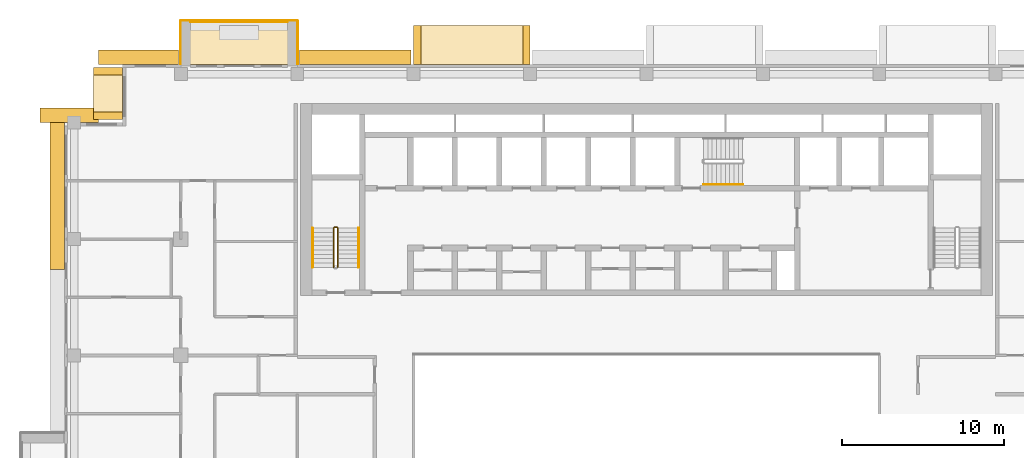
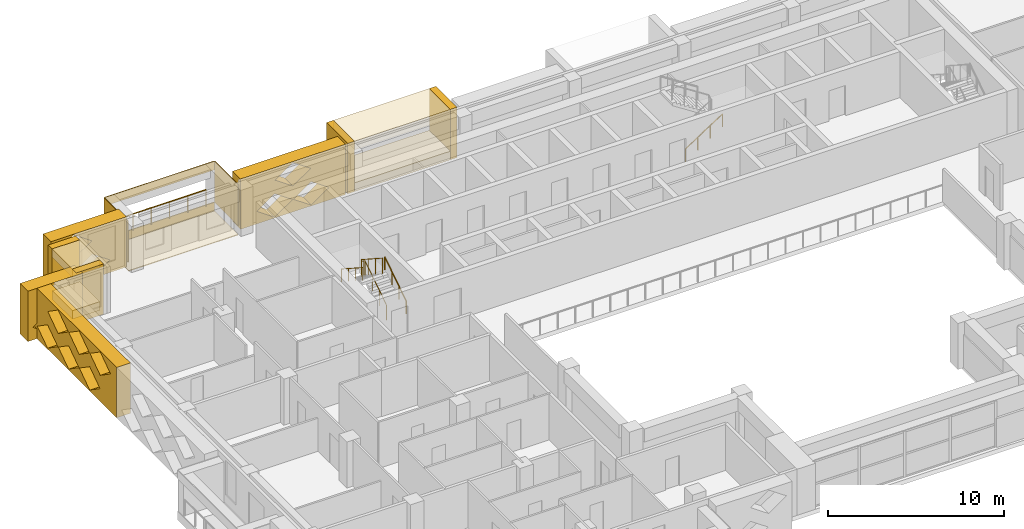
# One storey, part 18 of 20: 17 coverings, 5 railings.
"""IFC4 building model written with IfcOpenShell, lengths in metres."""

from ifc_helpers import new_model, si_unit, direction, frame, origin, origin_2d, place, context, subcontext, project, spatial, polyline, circle, outline, extrude, material, layer, layer_set, type_object, element, save


model = new_model("IFC4")

# Units and contexts
model_context = context("Model", 3, precision=1e-05, world=origin(), true_north=direction((0.0, 1.0)))
body_context = subcontext(model_context, "Body", "Model", "MODEL_VIEW")
ifc_project = project(units=[si_unit("LENGTHUNIT", "METRE"), si_unit("AREAUNIT", "SQUARE_METRE"), si_unit("VOLUMEUNIT", "CUBIC_METRE"), si_unit("PLANEANGLEUNIT", "RADIAN"), si_unit("MASSUNIT", "GRAM", prefix="KILO")], contexts=[model_context])

# Site, building, storey
site_placement = place(None, origin())
site = spatial("IfcSite", under=ifc_project, at=site_placement, CompositionType="ELEMENT")
building_placement = place(site_placement, origin())
building = spatial("IfcBuilding", under=site, at=building_placement, Name="Saffron Iwan Residences", CompositionType="ELEMENT")
storey_placement = place(building_placement, frame((0.0, 0.0, 199.0)))
storey = spatial("IfcBuildingStorey", under=building, at=storey_placement, Name="L53", CompositionType="ELEMENT", Elevation=199.0)

# Railing
ifc_material_1 = material(Name="Stainless steel 316", Category="steel")
railing_type_1 = type_object("IfcRailingType", Name="BALCONY GUARD 1150", PredefinedType="GUARDRAIL", material=ifc_material_1)
railing_1_placement = place(storey_placement, frame((28.199951171875, 83.02490234375, 0.0)))
element("IfcRailing", 1, at=railing_1_placement, inside=storey, type_object=railing_type_1, Name="Balcony guard L53 F5-3", PredefinedType="GUARDRAIL", context=body_context, shape_type="SweptSolid", body=[
    extrude(circle(Radius=0.02392578125, at=origin_2d()), frame((0.0, 0.0, 1.1259765625), z_axis=(-1.0, 0.0, 0.0), x_axis=(0.0, -1.0, 0.0)), (0.0, 0.0, 1.0), 6.0),
    extrude(circle(Radius=0.02099609375, at=origin_2d()), origin(), (0.0, 0.0, 1.0), 1.101806640625),
    extrude(circle(Radius=0.02099609375, at=origin_2d()), frame((-1.199951171875, 0.0, 0.0)), (0.0, 0.0, 1.0), 1.101806640625),
    extrude(circle(Radius=0.02099609375, at=origin_2d()), frame((-2.39990234375, 0.0, 0.0)), (0.0, 0.0, 1.0), 1.101806640625),
    extrude(circle(Radius=0.02099609375, at=origin_2d()), frame((-3.60009765625, 0.0, 0.0)), (0.0, 0.0, 1.0), 1.101806640625),
    extrude(circle(Radius=0.02099609375, at=origin_2d()), frame((-4.800048828125, 0.0, 0.0)), (0.0, 0.0, 1.0), 1.101806640625),
    extrude(circle(Radius=0.02099609375, at=origin_2d()), frame((-6.0, 0.0, 0.0)), (0.0, 0.0, 1.0), 1.101806640625),
])

# Coverings
ifc_material_2 = material(Name="Precast concrete C40/50 white painted", Category="concrete")
ifc_layer = layer(ifc_material_2, 0.050048828125)
ifc_layer_set = layer_set([ifc_layer], Name="Precast concrete C40/50 white painted")
covering_type_1 = type_object("IfcCoveringType", Name="FRAME SKIN PRECAST WHITE 50", PredefinedType="CLADDING", material=ifc_layer_set)
for number, where, name in (
    (2, (0.0, 0.0, -0.60009765625), "Frame skin slab edge L53 F5-3"),
    (3, (0.0, 0.0, 2.25), "Frame skin fascia L53 F5-3"),
):
    element("IfcCovering", number, at=place(storey_placement, frame(where)), inside=storey, type_object=covering_type_1, Name=name, PredefinedType="CLADDING", context=body_context, shape_type="SweptSolid", body=[
        extrude(outline(polyline([(28.800048828125, 83.14990234375), (21.60009765625, 83.14990234375), (21.60009765625, 83.10009765625), (28.800048828125, 83.10009765625), (28.800048828125, 83.14990234375)])), origin(), (0.0, 0.0, 1.0), 0.60009765625),
    ])
covering_1_placement = place(storey_placement, frame((0.0, 0.0, -0.64990234375)))
element("IfcCovering", 4, at=covering_1_placement, inside=storey, type_object=covering_type_1, Name="Frame skin soffit L53 F5-3", PredefinedType="CLADDING", context=body_context, shape_type="SweptSolid", body=[
    extrude(outline(polyline([(28.800048828125, 83.10009765625), (21.60009765625, 83.10009765625), (21.60009765625, 80.39990234375), (28.800048828125, 80.39990234375), (28.800048828125, 83.10009765625)])), origin(), (0.0, 0.0, 1.0), 0.0498046875),
])
covering_2_placement = place(storey_placement, origin())
element("IfcCovering", 5, at=covering_2_placement, inside=storey, type_object=covering_type_1, Name="Frame skin fin L53 F5-3a", PredefinedType="CLADDING", context=body_context, shape_type="SweptSolid", body=[
    extrude(outline(polyline([(28.85009765625, 83.10009765625), (28.800048828125, 83.10009765625), (28.800048828125, 80.39990234375), (28.85009765625, 80.39990234375), (28.85009765625, 83.10009765625)])), origin(), (0.0, 0.0, 1.0), 2.85009765625),
])
covering_3_placement = place(storey_placement, origin())
element("IfcCovering", 6, at=covering_3_placement, inside=storey, type_object=covering_type_1, Name="Frame skin fin L53 F5-3b", PredefinedType="CLADDING", context=body_context, shape_type="SweptSolid", body=[
    extrude(outline(polyline([(21.60009765625, 83.10009765625), (21.550048828125, 83.10009765625), (21.550048828125, 80.39990234375), (21.60009765625, 80.39990234375), (21.60009765625, 83.10009765625)])), origin(), (0.0, 0.0, 1.0), 2.85009765625),
])
ifc_material_3 = material(Name="Precast concrete C40/50", Category="concrete")
covering_type_2 = type_object("IfcCoveringType", Name="OUTER SKIN LATTICE SCREEN", PredefinedType="CLADDING", material=ifc_material_3)
covering_4_placement = place(storey_placement, frame((35.85009765625, 80.39990234375, -0.300048828125), z_axis=(0.0, 1.0, 0.0), x_axis=(-1.0, 0.0, 0.0)))
element("IfcCovering", 7, at=covering_4_placement, inside=storey, type_object=covering_type_2, Name="OUTER SKIN lattice screen L53 F5.3", PredefinedType="CLADDING", context=body_context, shape_type="SweptSolid", body=[
    extrude(outline(polyline([(0.0, 0.0), (6.89990234375, 0.0), (6.89990234375, 3.5), (0.0, 3.5), (0.0, 0.0)]), holes=[polyline([(1.070068359375, 0.875), (2.25, 0.06005859375), (3.429931640625, 0.875), (2.25, 1.68994140625), (1.070068359375, 0.875)]), polyline([(3.469970703125, 0.875), (4.64990234375, 0.06005859375), (5.830078125, 0.875), (4.64990234375, 1.68994140625), (3.469970703125, 0.875)]), polyline([(2.27001953125, 2.625), (3.449951171875, 1.81005859375), (4.6298828125, 2.625), (3.449951171875, 3.43994140625), (2.27001953125, 2.625)])]), origin(), (0.0, 0.0, 1.0), 0.900146484375),
])
covering_5_placement = place(storey_placement, frame((21.449951171875, 80.39990234375, -0.300048828125), z_axis=(0.0, 1.0, 0.0), x_axis=(-1.0, 0.0, 0.0)))
element("IfcCovering", 8, at=covering_5_placement, inside=storey, type_object=covering_type_2, Name="OUTER SKIN lattice screen L53 F5.4", PredefinedType="CLADDING", context=body_context, shape_type="SweptSolid", body=[
    extrude(outline(polyline([(0.0, 0.0), (4.949951171875, 0.0), (4.949951171875, 3.5), (0.0, 3.5), (0.0, 0.0)]), holes=[polyline([(1.070068359375, 0.875), (2.25, 0.06005859375), (3.429931640625, 0.875), (2.25, 1.68994140625), (1.070068359375, 0.875)]), polyline([(2.27001953125, 2.625), (3.449951171875, 1.81005859375), (4.6298828125, 2.625), (3.449951171875, 3.43994140625), (2.27001953125, 2.625)])]), origin(), (0.0, 0.0, 1.0), 0.900146484375),
])
covering_6_placement = place(storey_placement, frame((16.5, 76.800048828125, -0.300048828125), z_axis=(0.0, 1.0, 0.0), x_axis=(-1.0, 0.0, 0.0)))
element("IfcCovering", 9, at=covering_6_placement, inside=storey, type_object=covering_type_2, Name="OUTER SKIN lattice screen L53 F7.0", PredefinedType="CLADDING", context=body_context, shape_type="SweptSolid", body=[
    extrude(outline(polyline([(0.0, 0.0), (3.60009765625, 0.0), (3.60009765625, 3.5), (0.0, 3.5), (0.0, 0.0)]), holes=[polyline([(0.919921875, 0.875), (2.10009765625, 0.06005859375), (3.280029296875, 0.875), (2.10009765625, 1.68994140625), (0.919921875, 0.875)])]), origin(), (0.0, 0.0, 1.0), 0.89990234375),
])
covering_7_placement = place(storey_placement, frame((14.39990234375, 77.699951171875, -0.300048828125), z_axis=(-1.0, 0.0, 0.0), x_axis=(0.0, -1.0, 0.0)))
element("IfcCovering", 10, at=covering_7_placement, inside=storey, type_object=covering_type_2, Name="OUTER SKIN lattice screen L53 F8.0", PredefinedType="CLADDING", context=body_context, shape_type="SweptSolid", body=[
    extrude(outline(polyline([(0.0, 0.0), (9.97509765625, 0.0), (9.97509765625, 3.5), (0.0, 3.5), (0.0, 0.0)]), holes=[polyline([(0.919921875, 0.875), (2.10009765625, 0.06005859375), (3.280029296875, 0.875), (2.10009765625, 1.68994140625), (0.919921875, 0.875)]), polyline([(3.320068359375, 0.875), (4.5, 0.06005859375), (5.679931640625, 0.875), (4.5, 1.68994140625), (3.320068359375, 0.875)]), polyline([(5.719970703125, 0.875), (6.89990234375, 0.06005859375), (8.080078125, 0.875), (6.89990234375, 1.68994140625), (5.719970703125, 0.875)]), polyline([(2.1201171875, 2.625), (3.300048828125, 1.81005859375), (4.47998046875, 2.625), (3.300048828125, 3.43994140625), (2.1201171875, 2.625)]), polyline([(4.52001953125, 2.625), (5.699951171875, 1.81005859375), (6.8798828125, 2.625), (5.699951171875, 3.43994140625), (4.52001953125, 2.625)]), polyline([(6.919921875, 2.625), (8.10009765625, 1.81005859375), (9.280029296875, 2.625), (8.10009765625, 3.43994140625), (6.919921875, 2.625)])]), origin(), (0.0, 0.0, 1.0), 0.89990234375),
])

# Railings
ifc_material_4 = material(Name="Steel S355", Category="steel")
railing_type_2 = type_object("IfcRailingType", Name="Stair guard 1100", PredefinedType="GUARDRAIL", material=ifc_material_4)
railing_2_placement = place(storey_placement, frame((31.300048828125, 67.85009765625, 0.175048828125)))
element("IfcRailing", 11, at=railing_2_placement, inside=storey, type_object=railing_type_2, Name="L53 ST-W stair guard 1", PredefinedType="GUARDRAIL", context=body_context, shape_type="SweptSolid", body=[
    extrude(circle(Radius=0.02392578125, at=origin_2d()), frame((0.0, 0.0, 1.076171875), z_axis=(0.0, 0.839153699163, 0.543894354798), x_axis=(-1.0, 0.0, 0.0)), (0.0, 0.0, 1.0), 2.895751953125),
    extrude(circle(Radius=0.02392578125, at=origin_2d()), frame((0.0, 2.429931640625, 2.65087890625), z_axis=(-0.707106781187, 0.707106781187, 0.0), x_axis=(-0.707106781187, -0.707106781187, 0.0)), (0.0, 0.0, 1.0), 0.07080078125),
    extrude(circle(Radius=0.02392578125, at=origin_2d()), frame((-0.050048828125, 2.47998046875, 2.65087890625), z_axis=(-1.0, 0.0, 0.0), x_axis=(0.0, -1.0, 0.0)), (0.0, 0.0, 1.0), 0.14990234375),
    extrude(circle(Radius=0.02392578125, at=origin_2d()), frame((-0.199951171875, 2.47998046875, 2.65087890625), z_axis=(-0.265065253269, -0.265065253269, 0.927081885822), x_axis=(0.707106781187, -0.707106781187, 0.0)), (0.0, 0.0, 1.0), 0.188720703125),
    extrude(circle(Radius=0.02392578125, at=origin_2d()), frame((-0.25, 2.429931640625, 2.826171875), z_axis=(0.0, -0.839153699163, 0.543894354798), x_axis=(1.0, 0.0, 0.0)), (0.0, 0.0, 1.0), 2.895751953125),
    extrude(circle(Radius=0.02099609375, at=origin_2d()), origin(), (0.0, 0.0, 1.0), 1.052001953125),
    extrude(circle(Radius=0.02099609375, at=origin_2d()), frame((0.0, 0.81005859375, 0.52490234375)), (0.0, 0.0, 1.0), 1.052001953125),
    extrude(circle(Radius=0.02099609375, at=origin_2d()), frame((0.0, 1.619873046875, 1.050048828125)), (0.0, 0.0, 1.0), 1.052001953125),
    extrude(circle(Radius=0.02099609375, at=origin_2d()), frame((0.0, 2.429931640625, 1.574951171875)), (0.0, 0.0, 1.0), 1.052001953125),
    extrude(circle(Radius=0.02099609375, at=origin_2d()), frame((-0.050048828125, 2.47998046875, 1.574951171875)), (0.0, 0.0, 1.0), 1.052001953125),
    extrude(circle(Radius=0.02099609375, at=origin_2d()), frame((-0.199951171875, 2.47998046875, 1.574951171875)), (0.0, 0.0, 1.0), 1.052001953125),
    extrude(circle(Radius=0.02099609375, at=origin_2d()), frame((-0.25, 2.429931640625, 1.75)), (0.0, 0.0, 1.0), 1.052001953125),
    extrude(circle(Radius=0.02099609375, at=origin_2d()), frame((-0.25, 1.619873046875, 2.27490234375)), (0.0, 0.0, 1.0), 1.052001953125),
    extrude(circle(Radius=0.02099609375, at=origin_2d()), frame((-0.25, 0.81005859375, 2.800048828125)), (0.0, 0.0, 1.0), 1.052001953125),
    extrude(circle(Radius=0.02099609375, at=origin_2d()), frame((-0.25, 0.0, 3.324951171875)), (0.0, 0.0, 1.0), 1.052001953125),
])
railing_type_3 = type_object("IfcRailingType", Name="Stair handrail 900", PredefinedType="HANDRAIL", material=ifc_material_1)
railing_3_placement = place(storey_placement, frame((32.60009765625, 67.85009765625, 0.175048828125)))
element("IfcRailing", 12, at=railing_3_placement, inside=storey, type_object=railing_type_3, Name="L53 ST-W stair handrail 1", PredefinedType="HANDRAIL", context=body_context, shape_type="SweptSolid", body=[
    extrude(circle(Radius=0.02392578125, at=origin_2d()), frame((0.0, 0.0, 0.8759765625), z_axis=(0.0, 0.839153699163, 0.543894354798), x_axis=(-1.0, 0.0, 0.0)), (0.0, 0.0, 1.0), 2.895751953125),
    extrude(circle(Radius=0.02099609375, at=origin_2d()), origin(), (0.0, 0.0, 1.0), 0.851806640625),
    extrude(circle(Radius=0.02099609375, at=origin_2d()), frame((0.0, 0.81005859375, 0.52490234375)), (0.0, 0.0, 1.0), 0.851806640625),
    extrude(circle(Radius=0.02099609375, at=origin_2d()), frame((0.0, 1.619873046875, 1.050048828125)), (0.0, 0.0, 1.0), 0.851806640625),
    extrude(circle(Radius=0.02099609375, at=origin_2d()), frame((0.0, 2.429931640625, 1.574951171875)), (0.0, 0.0, 1.0), 0.851806640625),
])
railing_4_placement = place(storey_placement, frame((29.75, 70.280029296875, 1.925048828125)))
element("IfcRailing", 13, at=railing_4_placement, inside=storey, type_object=railing_type_3, Name="L53 ST-W stair handrail 2", PredefinedType="HANDRAIL", context=body_context, shape_type="SweptSolid", body=[
    extrude(circle(Radius=0.02392578125, at=origin_2d()), frame((0.0, 0.0, 0.8759765625), z_axis=(0.0, -0.839153699163, 0.543894354798), x_axis=(1.0, 0.0, 0.0)), (0.0, 0.0, 1.0), 2.895751953125),
    extrude(circle(Radius=0.02099609375, at=origin_2d()), origin(), (0.0, 0.0, 1.0), 0.851806640625),
    extrude(circle(Radius=0.02099609375, at=origin_2d()), frame((0.0, -0.81005859375, 0.52490234375)), (0.0, 0.0, 1.0), 0.851806640625),
    extrude(circle(Radius=0.02099609375, at=origin_2d()), frame((0.0, -1.619873046875, 1.050048828125)), (0.0, 0.0, 1.0), 0.851806640625),
    extrude(circle(Radius=0.02099609375, at=origin_2d()), frame((0.0, -2.429931640625, 1.574951171875)), (0.0, 0.0, 1.0), 0.851806640625),
])
railing_5_placement = place(storey_placement, frame((53.925048828125, 72.97509765625, 0.175048828125)))
element("IfcRailing", 14, at=railing_5_placement, inside=storey, type_object=railing_type_3, Name="L53 ST-C stair handrail 1", PredefinedType="HANDRAIL", context=body_context, shape_type="SweptSolid", body=[
    extrude(circle(Radius=0.02392578125, at=origin_2d()), frame((0.0, 0.0, 0.8759765625), z_axis=(0.839153699163, 0.0, 0.543894354798), x_axis=(0.0, 1.0, 0.0)), (0.0, 0.0, 1.0), 2.895751953125),
    extrude(circle(Radius=0.02099609375, at=origin_2d()), origin(), (0.0, 0.0, 1.0), 0.851806640625),
    extrude(circle(Radius=0.02099609375, at=origin_2d()), frame((0.81005859375, 0.0, 0.52490234375)), (0.0, 0.0, 1.0), 0.851806640625),
    extrude(circle(Radius=0.02099609375, at=origin_2d()), frame((1.619873046875, 0.0, 1.050048828125)), (0.0, 0.0, 1.0), 0.851806640625),
    extrude(circle(Radius=0.02099609375, at=origin_2d()), frame((2.429931640625, 0.0, 1.574951171875)), (0.0, 0.0, 1.0), 0.851806640625),
])

# Coverings
covering_type_3 = type_object("IfcCoveringType", Name="WHITE SUN FRAME PRECAST", PredefinedType="CLADDING", material=ifc_material_2)
for number, where, z_axis, x_axis, name in (
    (15, (43.199951171875, 80.39990234375, -0.300048828125), (0.0, 1.0, 0.0), (-1.0, 0.0, 0.0), "Sun frame L53 F5 39.6a"),
    (16, (36.449951171875, 80.39990234375, -0.300048828125), (0.0, 1.0, 0.0), (-1.0, 0.0, 0.0), "Sun frame L53 F5 39.6b"),
):
    element("IfcCovering", number, at=place(storey_placement, frame(where, z_axis=z_axis, x_axis=x_axis)), inside=storey, type_object=covering_type_3, Name=name, PredefinedType="CLADDING", context=body_context, shape_type="SweptSolid", body=[
        extrude(outline(polyline([(0.0, 0.0), (0.449951171875, 0.0), (0.449951171875, 3.5), (0.0, 3.5), (0.0, 0.0)])), origin(), (0.0, 0.0, 1.0), 2.400146484375),
    ])
for number, where, z_axis, x_axis, name in (
    (17, (42.75, 80.39990234375, 2.60009765625), (0.0, 1.0, 0.0), (-1.0, 0.0, 0.0), "Sun frame L53 F5 39.6h"),
    (18, (42.75, 80.39990234375, -0.300048828125), (0.0, 1.0, 0.0), (-1.0, 0.0, 0.0), "Sun frame L53 F5 39.6s"),
):
    element("IfcCovering", number, at=place(storey_placement, frame(where, z_axis=z_axis, x_axis=x_axis)), inside=storey, type_object=covering_type_3, Name=name, PredefinedType="CLADDING", context=body_context, shape_type="SweptSolid", body=[
        extrude(outline(polyline([(0.0, 0.0), (6.300048828125, 0.0), (6.300048828125, 0.60009765625), (0.0, 0.60009765625), (0.0, 0.0)])), origin(), (0.0, 0.0, 1.0), 2.400146484375),
    ])
for number, where, z_axis, x_axis, name in (
    (19, (18.0, 80.199951171875, -0.300048828125), (-1.0, 0.0, 0.0), (0.0, -1.0, 0.0), "Sun frame L53 F6 0.2a"),
    (20, (18.0, 77.449951171875, -0.300048828125), (-1.0, 0.0, 0.0), (0.0, -1.0, 0.0), "Sun frame L53 F6 0.2b"),
):
    element("IfcCovering", number, at=place(storey_placement, frame(where, z_axis=z_axis, x_axis=x_axis)), inside=storey, type_object=covering_type_3, Name=name, PredefinedType="CLADDING", context=body_context, shape_type="SweptSolid", body=[
        extrude(outline(polyline([(0.0, 0.0), (0.449951171875, 0.0), (0.449951171875, 3.5), (0.0, 3.5), (0.0, 0.0)])), origin(), (0.0, 0.0, 1.0), 1.800048828125),
    ])
for number, where, z_axis, x_axis, name in (
    (21, (18.0, 79.75, 2.60009765625), (-1.0, 0.0, 0.0), (0.0, -1.0, 0.0), "Sun frame L53 F6 0.2h"),
    (22, (18.0, 79.75, -0.300048828125), (-1.0, 0.0, 0.0), (0.0, -1.0, 0.0), "Sun frame L53 F6 0.2s"),
):
    element("IfcCovering", number, at=place(storey_placement, frame(where, z_axis=z_axis, x_axis=x_axis)), inside=storey, type_object=covering_type_3, Name=name, PredefinedType="CLADDING", context=body_context, shape_type="SweptSolid", body=[
        extrude(outline(polyline([(0.0, 0.0), (2.300048828125, 0.0), (2.300048828125, 0.60009765625), (0.0, 0.60009765625), (0.0, 0.0)])), origin(), (0.0, 0.0, 1.0), 1.800048828125),
    ])

save(model, "model.ifc")
